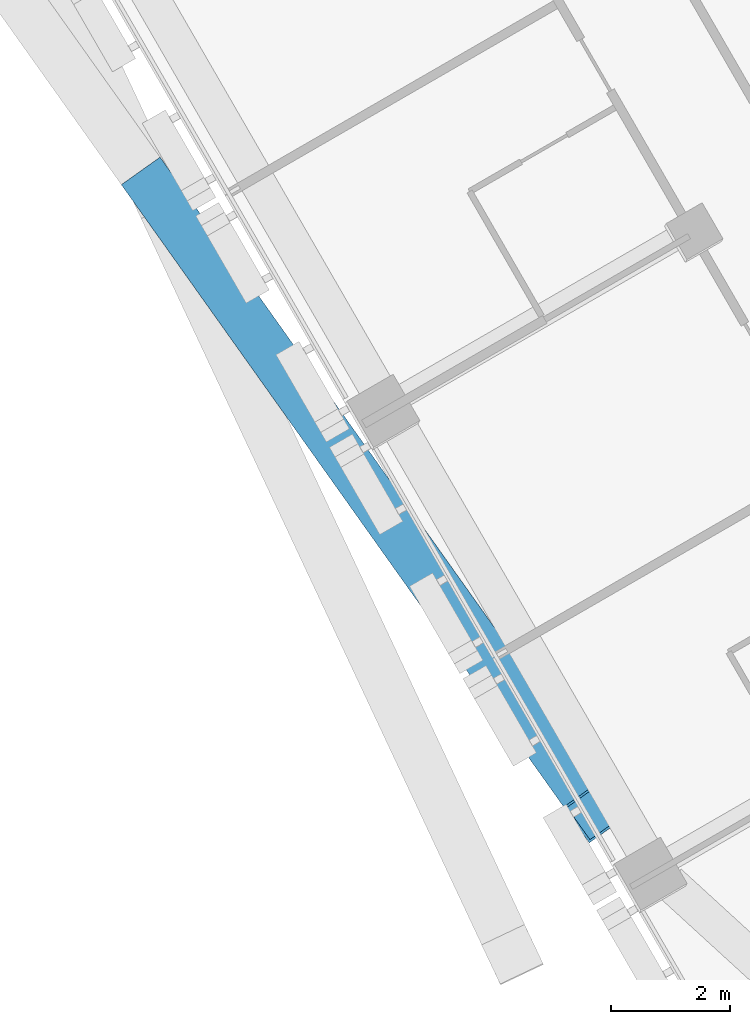
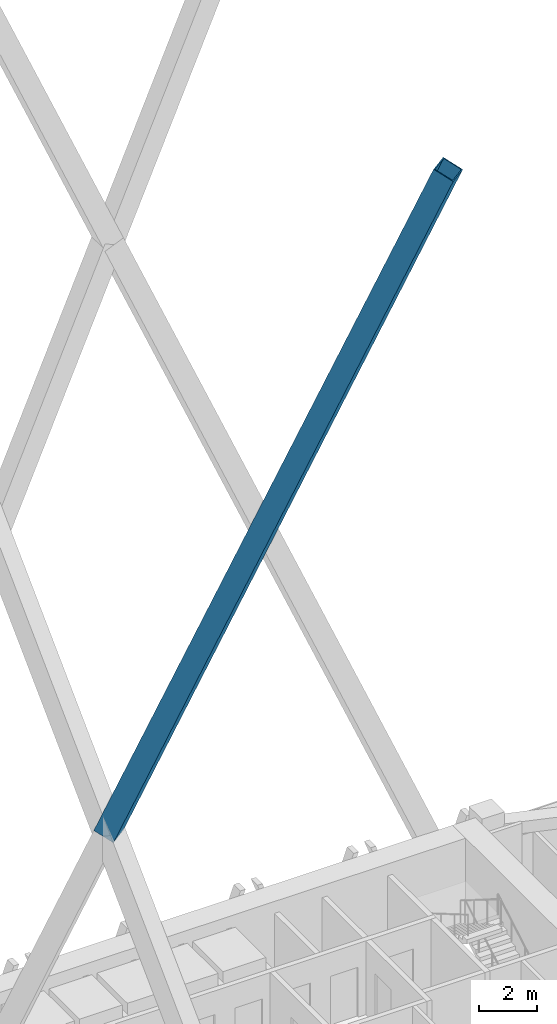
# One storey, part 3 of 23: 1 member.
"""IFC4 building model written with IfcOpenShell, lengths in metres."""

from ifc_helpers import new_model, si_unit, direction, frame, origin, origin_2d, place, context, subcontext, project, spatial, hollow_rectangle, extrude, material, material_profile, profile_set, type_object, element, save


model = new_model("IFC4")

# Units and contexts
model_context = context("Model", 3, precision=1e-05, world=origin(), true_north=direction((0.0, 1.0)))
body_context = subcontext(model_context, "Body", "Model", "MODEL_VIEW")
ifc_project = project(units=[si_unit("LENGTHUNIT", "METRE"), si_unit("AREAUNIT", "SQUARE_METRE"), si_unit("VOLUMEUNIT", "CUBIC_METRE"), si_unit("PLANEANGLEUNIT", "RADIAN"), si_unit("MASSUNIT", "GRAM", prefix="KILO")], contexts=[model_context])

# Site, building, storey
site_placement = place(None, origin())
site = spatial("IfcSite", under=ifc_project, at=site_placement, CompositionType="ELEMENT")
building_placement = place(site_placement, origin())
building = spatial("IfcBuilding", under=site, at=building_placement, Name="Altiplano Prism Tower", CompositionType="ELEMENT")
storey_placement = place(building_placement, frame((0.0, 0.0, 100.800048828125)))
storey = spatial("IfcBuildingStorey", under=building, at=storey_placement, Name="L25", CompositionType="ELEMENT", Elevation=100.800048828125)

# Member
ifc_material = material(Name="Steel S355", Category="steel")
ifc_material_profile = material_profile(ifc_material, hollow_rectangle(XDim=0.800048828125, YDim=0.800048828125, WallThickness=0.0400390625, at=origin_2d()), Name="Mega brace Box 800x800x40")
ifc_profile_set = profile_set([ifc_material_profile], Name="Steel S355")
member_type = type_object("IfcMemberType", Name="Mega brace Box 800x800x40", PredefinedType="BRACE", material=ifc_profile_set)
member_placement = place(storey_placement, frame((67.247802734375, 76.452392578125, 30.675048828125), z_axis=(0.218820099052, -0.307789490136, 0.925949995417), x_axis=(0.815020885134, 0.579431580771, 0.0)))
element("IfcMember", 1, at=member_placement, inside=storey, type_object=member_type, Name="Mega brace 3.1.2", PredefinedType="BRACE", context=body_context, shape_type="SweptSolid", body=[
    extrude(hollow_rectangle(XDim=0.800048828125, YDim=0.800048828125, WallThickness=0.0400390625, at=origin_2d()), origin(), (0.0, 0.0, 1.0), 34.0458984375),
])

save(model, "model.ifc")
